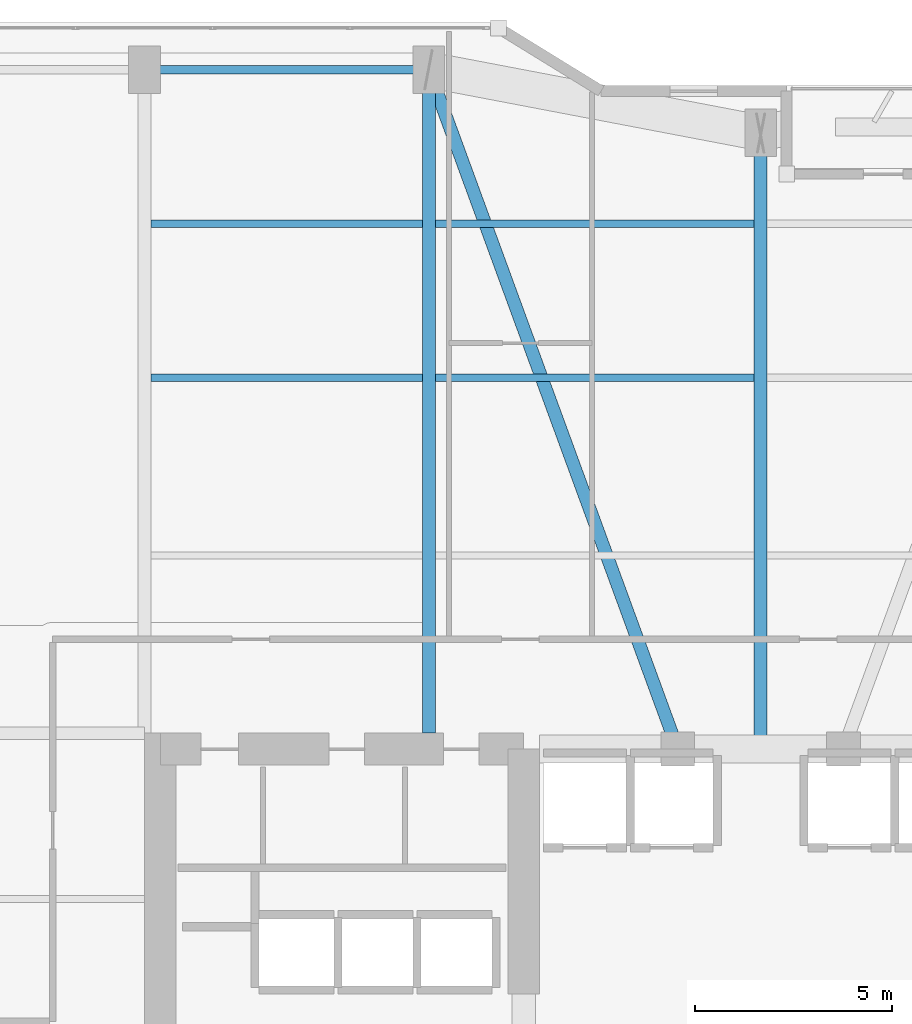
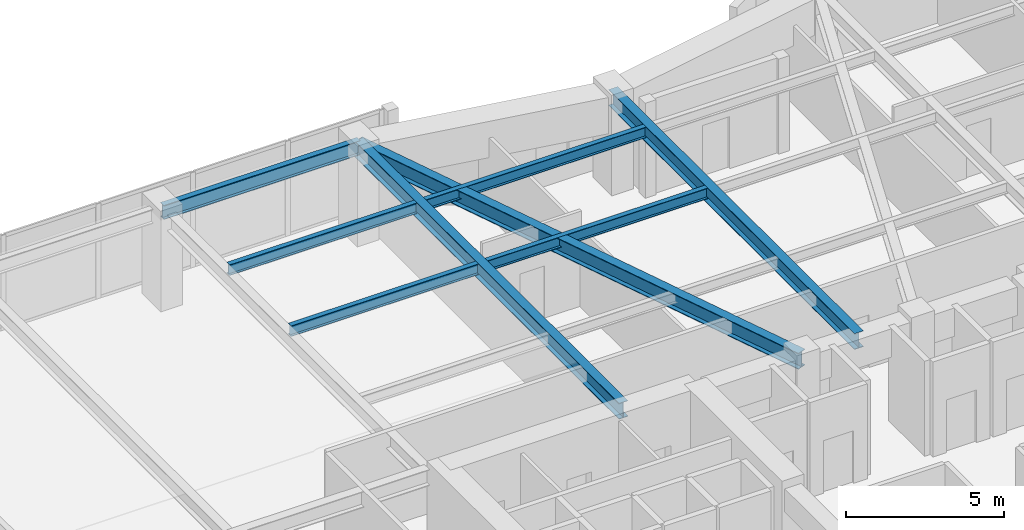
# One storey, part 18 of 30: 8 beams.
"""IFC4 building model written with IfcOpenShell, lengths in metres."""

from ifc_helpers import new_model, si_unit, direction, frame, origin, origin_2d, place, context, subcontext, project, spatial, i_section, extrude, material, material_profile, profile_set, type_object, element, save


model = new_model("IFC4")

# Units and contexts
model_context = context("Model", 3, precision=1e-05, world=origin(), true_north=direction((0.0, 1.0)))
body_context = subcontext(model_context, "Body", "Model", "MODEL_VIEW")
ifc_project = project(units=[si_unit("LENGTHUNIT", "METRE"), si_unit("AREAUNIT", "SQUARE_METRE"), si_unit("VOLUMEUNIT", "CUBIC_METRE"), si_unit("PLANEANGLEUNIT", "RADIAN"), si_unit("MASSUNIT", "GRAM", prefix="KILO")], contexts=[model_context])

# Site, building, storey
site_placement = place(None, origin())
site = spatial("IfcSite", under=ifc_project, at=site_placement, CompositionType="ELEMENT")
building_placement = place(site_placement, origin())
building = spatial("IfcBuilding", under=site, at=building_placement, Name="Kiyonajd Concourse Tower", CompositionType="ELEMENT")
storey_placement = place(building_placement, frame((0.0, 0.0, 150.60009765625)))
storey = spatial("IfcBuildingStorey", under=building, at=storey_placement, Name="L38", CompositionType="ELEMENT", Elevation=150.60009765625)

# Beams
ifc_material = material(Name="Steel ASTM A992 Grade 50", Category="steel")
ifc_material_profile_1 = material_profile(ifc_material, i_section(OverallWidth=0.180908203125, OverallDepth=0.4169921875, WebThickness=0.010986328125, FlangeThickness=0.018310546875, at=origin_2d()), Name="W410X85")
ifc_profile_set_1 = profile_set([ifc_material_profile_1], Name="Steel ASTM A992 Grade 50")
beam_type_1 = type_object("IfcBeamType", Name="BM-JST-410", PredefinedType="JOIST", material=ifc_profile_set_1)
beam_1_placement = place(storey_placement, frame((32.5634765625, 53.39990234375, 3.471435546875), z_axis=(1.0, 0.0, 0.0), x_axis=(0.0, 1.0, 0.0)))
element("IfcBeam", 1, at=beam_1_placement, inside=storey, type_object=beam_type_1, Name="L38 Secondary Floor Joist", PredefinedType="JOIST", context=body_context, shape_type="SweptSolid", body=[
    extrude(i_section(OverallWidth=0.180908203125, OverallDepth=0.4169921875, WebThickness=0.010986328125, FlangeThickness=0.018310546875, at=origin_2d()), origin(), (0.0, 0.0, 1.0), 6.873046875),
])
beam_2_placement = place(storey_placement, frame((39.763427734375, 53.39990234375, 3.471435546875), z_axis=(1.0, 0.0, 0.0), x_axis=(0.0, 1.0, 0.0)))
element("IfcBeam", 2, at=beam_2_placement, inside=storey, type_object=beam_type_1, Name="L38 Secondary Floor Joist", PredefinedType="JOIST", context=body_context, shape_type="SweptSolid", body=[
    extrude(i_section(OverallWidth=0.180908203125, OverallDepth=0.4169921875, WebThickness=0.010986328125, FlangeThickness=0.018310546875, at=origin_2d()), origin(), (0.0, 0.0, 1.0), 8.072998046875),
])
beam_3_placement = place(storey_placement, frame((32.5634765625, 57.300048828125, 3.471435546875), z_axis=(1.0, 0.0, 0.0), x_axis=(0.0, 1.0, 0.0)))
element("IfcBeam", 3, at=beam_3_placement, inside=storey, type_object=beam_type_1, Name="L38 Secondary Floor Joist", PredefinedType="JOIST", context=body_context, shape_type="SweptSolid", body=[
    extrude(i_section(OverallWidth=0.180908203125, OverallDepth=0.4169921875, WebThickness=0.010986328125, FlangeThickness=0.018310546875, at=origin_2d()), origin(), (0.0, 0.0, 1.0), 6.873046875),
])
beam_4_placement = place(storey_placement, frame((39.763427734375, 57.300048828125, 3.471435546875), z_axis=(1.0, 0.0, 0.0), x_axis=(0.0, 1.0, 0.0)))
element("IfcBeam", 4, at=beam_4_placement, inside=storey, type_object=beam_type_1, Name="L38 Secondary Floor Joist", PredefinedType="JOIST", context=body_context, shape_type="SweptSolid", body=[
    extrude(i_section(OverallWidth=0.180908203125, OverallDepth=0.4169921875, WebThickness=0.010986328125, FlangeThickness=0.018310546875, at=origin_2d()), origin(), (0.0, 0.0, 1.0), 8.072998046875),
])
ifc_material_profile_2 = material_profile(ifc_material, i_section(OverallWidth=0.214111328125, OverallDepth=0.549072265625, WebThickness=0.0146484375, FlangeThickness=0.023681640625, at=origin_2d()), Name="W530X138")
ifc_profile_set_2 = profile_set([ifc_material_profile_2], Name="Steel ASTM A992 Grade 50")
beam_type_2 = type_object("IfcBeamType", Name="BM-SPAN-530A", PredefinedType="SPANDREL", material=ifc_profile_set_2)
beam_5_placement = place(storey_placement, frame((39.60009765625, 61.199951171875, 3.405517578125), z_axis=(-1.0, 0.0, 0.0), x_axis=(0.0, -1.0, 0.0)))
element("IfcBeam", 5, at=beam_5_placement, inside=storey, type_object=beam_type_2, Name="L38 Perimeter Bundled Tube Spandrel", PredefinedType="SPANDREL", context=body_context, shape_type="SweptSolid", body=[
    extrude(i_section(OverallWidth=0.214111328125, OverallDepth=0.549072265625, WebThickness=0.0146484375, FlangeThickness=0.023681640625, at=origin_2d()), origin(), (0.0, 0.0, 1.0), 7.2001953125),
])
ifc_material_profile_3 = material_profile(ifc_material, i_section(OverallWidth=0.326904296875, OverallDepth=0.6220703125, WebThickness=0.015380859375, FlangeThickness=0.0244140625, at=origin_2d()), Name="W610X195")
ifc_profile_set_3 = profile_set([ifc_material_profile_3], Name="Steel ASTM A992 Grade 50")
beam_type_3 = type_object("IfcBeamType", Name="BM-TWR-610A", PredefinedType="BEAM", material=ifc_profile_set_3)
beam_6_placement = place(storey_placement, frame((39.60009765625, 61.199951171875, 3.368896484375), z_axis=(0.343925269715, -0.938997022813, 0.0), x_axis=(0.938997022813, 0.343925269715, 0.0)))
element("IfcBeam", 6, at=beam_6_placement, inside=storey, type_object=beam_type_3, Name="L38 Core Tie Girder", PredefinedType="BEAM", context=body_context, shape_type="SweptSolid", body=[
    extrude(i_section(OverallWidth=0.326904296875, OverallDepth=0.6220703125, WebThickness=0.015380859375, FlangeThickness=0.0244140625, at=origin_2d()), origin(), (0.0, 0.0, 1.0), 18.3173828125),
])
beam_7_placement = place(storey_placement, frame((39.60009765625, 44.39990234375, 3.368896484375), z_axis=(0.0, 1.0, 0.0), x_axis=(-1.0, 0.0, 0.0)))
element("IfcBeam", 7, at=beam_7_placement, inside=storey, type_object=beam_type_3, Name="L38 North Lease Girder", PredefinedType="BEAM", context=body_context, shape_type="SweptSolid", body=[
    extrude(i_section(OverallWidth=0.326904296875, OverallDepth=0.6220703125, WebThickness=0.015380859375, FlangeThickness=0.0244140625, at=origin_2d()), origin(), (0.0, 0.0, 1.0), 16.800048828125),
])
beam_8_placement = place(storey_placement, frame((48.0, 44.0, 3.368896484375), z_axis=(0.0, 1.0, 0.0), x_axis=(-1.0, 0.0, 0.0)))
element("IfcBeam", 8, at=beam_8_placement, inside=storey, type_object=beam_type_3, Name="L38 North Ribbon Girder", PredefinedType="BEAM", context=body_context, shape_type="SweptSolid", body=[
    extrude(i_section(OverallWidth=0.326904296875, OverallDepth=0.6220703125, WebThickness=0.015380859375, FlangeThickness=0.0244140625, at=origin_2d()), origin(), (0.0, 0.0, 1.0), 15.60009765625),
])

save(model, "model.ifc")
